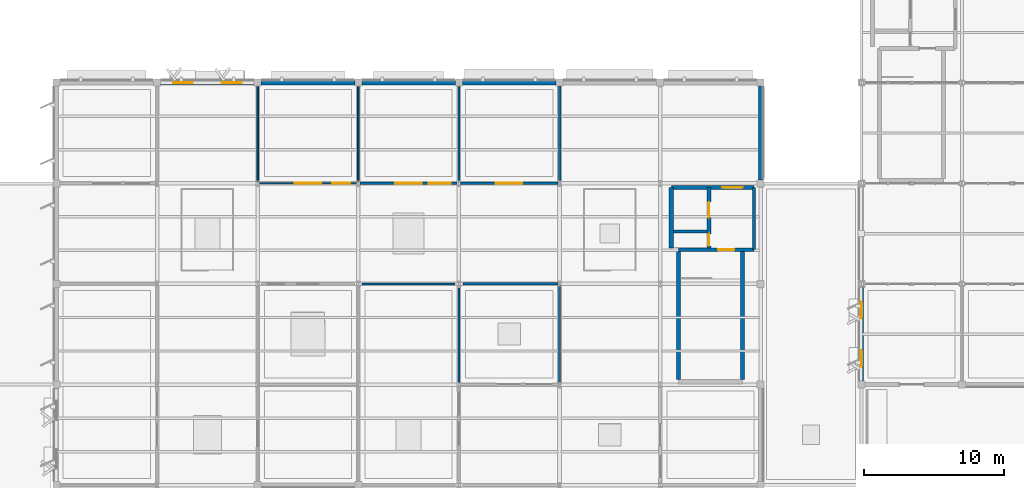
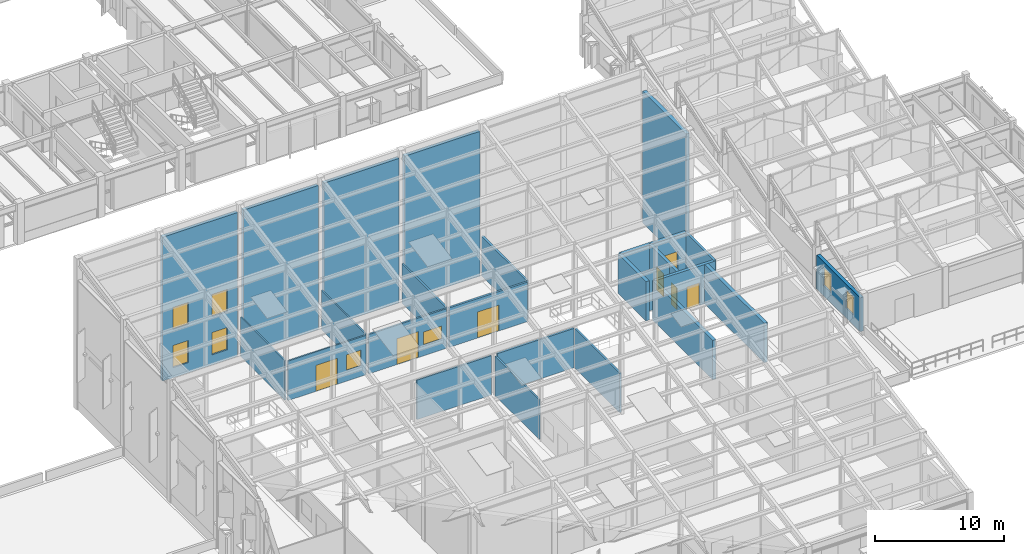
# One storey, part 35 of 82: 25 walls, 8 windows, 7 doors, 15 openings.
"""IFC4 building model written with IfcOpenShell, lengths in metres."""

from ifc_helpers import new_model, si_unit, direction, frame, frame_2d, origin, place, context, subcontext, project, spatial, rectangle, extrude, material, layer, layer_set, type_object, element, fill, save


model = new_model("IFC4")

# Units and contexts
model_context = context("Model", 3, precision=1e-05, world=origin(), true_north=direction((0.0, 1.0)))
body_context = subcontext(model_context, "Body", "Model", "MODEL_VIEW")
ifc_project = project(units=[si_unit("LENGTHUNIT", "METRE"), si_unit("AREAUNIT", "SQUARE_METRE"), si_unit("VOLUMEUNIT", "CUBIC_METRE"), si_unit("PLANEANGLEUNIT", "RADIAN"), si_unit("MASSUNIT", "GRAM", prefix="KILO")], contexts=[model_context])

# Site, building, storey
site_placement = place(None, origin())
site = spatial("IfcSite", under=ifc_project, at=site_placement, CompositionType="ELEMENT")
building_placement = place(site_placement, origin())
building = spatial("IfcBuilding", under=site, at=building_placement, Name="Sillqori Civic Hall", CompositionType="ELEMENT")
storey_placement = place(building_placement, frame((0.0, 0.0, 14.10009765625)))
storey = spatial("IfcBuildingStorey", under=building, at=storey_placement, Name="L04", CompositionType="ELEMENT", Elevation=14.10009765625)

# Walls
ifc_material_1 = material(Name="Concrete C35/45 (H35)", Category="concrete")
ifc_layer_1 = layer(ifc_material_1, 0.219970703125)
ifc_layer_set_1 = layer_set([ifc_layer_1], Name="Concrete C35/45 (H35)")
wall_type_1 = type_object("IfcWallType", Name="CW-SHR-220", PredefinedType="SHEAR", material=ifc_layer_set_1)
wall_1_placement = place(storey_placement, frame((108.949951171875, 46.949951171875, 0.0), z_axis=(0.0, 0.0, 1.0), x_axis=(1.0, 0.0, 0.0)))
element("IfcWall", 1, at=wall_1_placement, inside=storey, type_object=wall_type_1, Name="L04 C3 Lift-riser divider wall", PredefinedType="SHEAR", context=body_context, shape_type="SweptSolid", body=[
    extrude(rectangle(XDim=2.400146484375, YDim=0.219970703125, at=frame_2d((1.2001953125, 0.0))), origin(), (0.0, 0.0, 1.0), 3.719970703125),
])
wall_2_placement = place(storey_placement, frame((114.719970703125, 50.10009765625, 0.0), z_axis=(0.0, 0.0, 1.0), x_axis=(0.0, -1.0, 0.0)))
element("IfcWall", 2, at=wall_2_placement, inside=storey, type_object=wall_type_1, Name="L04 C3 firefighting lobby enclosure wall", PredefinedType="SHEAR", context=body_context, shape_type="SweptSolid", body=[
    extrude(rectangle(XDim=4.4501953125, YDim=0.219970703125, at=frame_2d((2.22509765625, 0.0))), origin(), (0.0, 0.0, 1.0), 3.719970703125),
])

# Wall, opening, door
ifc_layer_2 = layer(ifc_material_1, 0.260009765625)
ifc_layer_set_2 = layer_set([ifc_layer_2], Name="Concrete C35/45 (H35)")
wall_type_2 = type_object("IfcWallType", Name="CW-SHR-260", PredefinedType="SHEAR", material=ifc_layer_set_2)
wall_3_placement = place(storey_placement, frame((109.31005859375, 45.64990234375, 0.0), z_axis=(0.0, 0.0, 1.0), x_axis=(1.0, 0.0, 0.0)))
wall_3 = element("IfcWall", 3, at=wall_3_placement, inside=storey, type_object=wall_type_2, Name="L04 C3 Stair-lobby fire wall", PredefinedType="SHEAR", context=body_context, shape_type="SweptSolid", body=[
    extrude(rectangle(XDim=5.409912109375, YDim=0.260009765625, at=frame_2d((2.705078125, 0.0))), origin(), (0.0, 0.0, 1.0), 3.719970703125),
])
opening_1_placement = place(wall_3_placement, frame((2.840087890625, 0.0, 0.0)))
opening_1 = element("IfcOpeningElement", 4, at=opening_1_placement, cuts=wall_3, Name="Opening FD-01", PredefinedType="OPENING", context=body_context, shape_type="SweptSolid", body=[
    extrude(rectangle(XDim=1.14990234375, YDim=2.14990234375, at=frame_2d((0.574951171875, 1.074951171875))), frame((0.0, 0.139892578125, 0.0), z_axis=(0.0, -1.0, 0.0), x_axis=(1.0, 0.0, 0.0)), (0.0, 0.0, 1.0), 0.280029296875),
])
ifc_material_2 = material(Name="Galvanized Steel Fire Door FD90S", Category="steel")
door_type_1 = type_object("IfcDoorType", Name="FDR-STR-115X215", OperationType="NOTDEFINED", PredefinedType="DOOR", material=ifc_material_2)
door_1_placement = place(opening_1_placement, origin())
door_1 = element("IfcDoor", 5, at=door_1_placement, inside=storey, type_object=door_type_1, Name="L04 stair ST-03 fire door", OperationType="SINGLE_SWING_RIGHT", OverallHeight=2.14990234375, OverallWidth=1.14990234375, PredefinedType="DOOR", context=body_context, shape_type="SweptSolid", body=[
    extrude(rectangle(XDim=1.14990234375, YDim=2.14990234375, at=frame_2d((0.574951171875, 1.074951171875))), frame((0.0, 0.02490234375, 0.0), z_axis=(0.0, -1.0, 0.0), x_axis=(1.0, 0.0, 0.0)), (0.0, 0.0, 1.0), 0.050048828125),
])
fill(opening_1, door_1)

# Wall, openings, doors
wall_4_placement = place(storey_placement, frame((111.5, 50.10009765625, 0.0), z_axis=(0.0, 0.0, 1.0), x_axis=(0.0, -1.0, 0.0)))
wall_4 = element("IfcWall", 6, at=wall_4_placement, inside=storey, type_object=wall_type_2, Name="L04 C3 Lift landing & riser front wall", PredefinedType="SHEAR", context=body_context, shape_type="SweptSolid", body=[
    extrude(rectangle(XDim=4.320068359375, YDim=0.260009765625, at=frame_2d((2.16015625, 0.0))), origin(), (0.0, 0.0, 1.0), 3.719970703125),
])
opening_2_placement = place(wall_4_placement, frame((1.050048828125, 0.0, 0.0)))
opening_2 = element("IfcOpeningElement", 7, at=opening_2_placement, cuts=wall_4, Name="Opening LD-01", PredefinedType="OPENING", context=body_context, shape_type="SweptSolid", body=[
    extrude(rectangle(XDim=1.10009765625, YDim=2.14990234375, at=frame_2d((0.550048828125, 1.074951171875))), frame((0.0, 0.139892578125, 0.0), z_axis=(0.0, -1.0, 0.0), x_axis=(1.0, 0.0, 0.0)), (0.0, 0.0, 1.0), 0.280029296875),
])
opening_3_placement = place(wall_4_placement, frame((3.324951171875, 0.0, 0.0)))
opening_3 = element("IfcOpeningElement", 8, at=opening_3_placement, cuts=wall_4, Name="Opening FD-05", PredefinedType="OPENING", context=body_context, shape_type="SweptSolid", body=[
    extrude(rectangle(XDim=0.85009765625, YDim=2.050048828125, at=frame_2d((0.425048828125, 1.02490234375))), frame((0.0, 0.139892578125, 0.0), z_axis=(0.0, -1.0, 0.0), x_axis=(1.0, 0.0, 0.0)), (0.0, 0.0, 1.0), 0.280029296875),
])
ifc_material_3 = material(Name="Steel Riser Access Fire Door", Category="steel")
door_type_2 = type_object("IfcDoorType", Name="FDR-RSR-085X205", OperationType="NOTDEFINED", PredefinedType="DOOR", material=ifc_material_3)
door_2_placement = place(opening_3_placement, origin())
door_2 = element("IfcDoor", 9, at=door_2_placement, inside=storey, type_object=door_type_2, Name="L04 MEP riser C3 fire access door", OperationType="SINGLE_SWING_LEFT", OverallHeight=2.050048828125, OverallWidth=0.85009765625, PredefinedType="DOOR", context=body_context, shape_type="SweptSolid", body=[
    extrude(rectangle(XDim=0.85009765625, YDim=2.050048828125, at=frame_2d((0.425048828125, 1.02490234375))), frame((0.0, 0.02490234375, 0.0), z_axis=(0.0, -1.0, 0.0), x_axis=(1.0, 0.0, 0.0)), (0.0, 0.0, 1.0), 0.050048828125),
])
fill(opening_3, door_2)
ifc_material_4 = material(Name="Stainless Steel Lift Landing Door", Category="steel")
door_type_3 = type_object("IfcDoorType", Name="LDR-PASS-110X215", OperationType="NOTDEFINED", PredefinedType="DOOR", material=ifc_material_4)
door_3_placement = place(opening_2_placement, origin())
door_3 = element("IfcDoor", 10, at=door_3_placement, inside=storey, type_object=door_type_3, Name="L04 lift LF-05 sliding landing door", OperationType="DOUBLE_DOOR_SLIDING", OverallHeight=2.14990234375, OverallWidth=1.10009765625, PredefinedType="DOOR", context=body_context, shape_type="SweptSolid", body=[
    extrude(rectangle(XDim=1.10009765625, YDim=2.14990234375, at=frame_2d((0.550048828125, 1.074951171875))), frame((0.0, 0.02490234375, 0.0), z_axis=(0.0, -1.0, 0.0), x_axis=(1.0, 0.0, 0.0)), (0.0, 0.0, 1.0), 0.050048828125),
])
fill(opening_2, door_3)

# Walls
ifc_layer_3 = layer(ifc_material_1, 0.300048828125)
ifc_layer_set_3 = layer_set([ifc_layer_3], Name="Concrete C35/45 (H35)")
wall_type_3 = type_object("IfcWallType", Name="CW-SHR-300", PredefinedType="SHEAR", material=ifc_layer_set_3)
for number, where, z_axis, x_axis, name in (
    (11, (109.31005859375, 36.35009765625, 0.0), (0.0, 0.0, 1.0), (0.0, 1.0, 0.0), "L04 C3 Stair west shear wall"),
    (12, (113.889892578125, 36.35009765625, 0.0), (0.0, 0.0, 1.0), (0.0, 1.0, 0.0), "L04 C3 Stair east shear wall"),
):
    element("IfcWall", number, at=place(storey_placement, frame(where, z_axis=z_axis, x_axis=x_axis)), inside=storey, type_object=wall_type_3, Name=name, PredefinedType="SHEAR", context=body_context, shape_type="SweptSolid", body=[
        extrude(rectangle(XDim=9.2998046875, YDim=0.300048828125, at=frame_2d((4.64990234375, 0.0))), origin(), (0.0, 0.0, 1.0), 3.719970703125),
    ])
wall_5_placement = place(storey_placement, frame((108.800048828125, 45.780029296875, 0.0), z_axis=(0.0, 0.0, 1.0), x_axis=(0.0, 1.0, 0.0)))
element("IfcWall", 13, at=wall_5_placement, inside=storey, type_object=wall_type_3, Name="L04 C3 Lift shaft west shear wall", PredefinedType="SHEAR", context=body_context, shape_type="SweptSolid", body=[
    extrude(rectangle(XDim=4.320068359375, YDim=0.300048828125, at=frame_2d((2.16015625, 0.0))), origin(), (0.0, 0.0, 1.0), 3.719970703125),
])

# Wall, opening, door
wall_6_placement = place(storey_placement, frame((108.800048828125, 50.10009765625, 0.0), z_axis=(0.0, 0.0, 1.0), x_axis=(1.0, 0.0, 0.0)))
wall_6 = element("IfcWall", 14, at=wall_6_placement, inside=storey, type_object=wall_type_3, Name="L04 C3 Core north shear wall", PredefinedType="SHEAR", context=body_context, shape_type="SweptSolid", body=[
    extrude(rectangle(XDim=5.919921875, YDim=0.300048828125, at=frame_2d((2.9599609375, 0.0))), origin(), (0.0, 0.0, 1.0), 3.719970703125),
])
opening_4_placement = place(wall_6_placement, frame((3.64990234375, 0.0, 0.0)))
opening_4 = element("IfcOpeningElement", 15, at=opening_4_placement, cuts=wall_6, Name="Opening FD-03", PredefinedType="OPENING", context=body_context, shape_type="SweptSolid", body=[
    extrude(rectangle(XDim=1.449951171875, YDim=2.199951171875, at=frame_2d((0.72509765625, 1.10009765625))), frame((0.0, 0.159912109375, 0.0), z_axis=(0.0, -1.0, 0.0), x_axis=(1.0, 0.0, 0.0)), (0.0, 0.0, 1.0), 0.320068359375),
])
ifc_material_5 = material(Name="Double-Leaf Smoke-Seal Lobby Door", Category="steel")
door_type_4 = type_object("IfcDoorType", Name="FDR-LOB-145X220", OperationType="NOTDEFINED", PredefinedType="DOOR", material=ifc_material_5)
door_4_placement = place(opening_4_placement, origin())
door_4 = element("IfcDoor", 16, at=door_4_placement, inside=storey, type_object=door_type_4, Name="L04 C3 firefighting lobby north exit door", OperationType="DOUBLE_DOOR_SINGLE_SWING", OverallHeight=2.199951171875, OverallWidth=1.449951171875, PredefinedType="DOOR", context=body_context, shape_type="SweptSolid", body=[
    extrude(rectangle(XDim=1.449951171875, YDim=2.199951171875, at=frame_2d((0.72509765625, 1.10009765625))), frame((0.0, 0.02490234375, 0.0), z_axis=(0.0, -1.0, 0.0), x_axis=(1.0, 0.0, 0.0)), (0.0, 0.0, 1.0), 0.050048828125),
])
fill(opening_4, door_4)

# Wall, openings, windows
ifc_material_6 = material(Name="Precast concrete C40/50 (H40)", Category="concrete")
ifc_layer_4 = layer(ifc_material_6, 0.300048828125)
ifc_layer_set_4 = layer_set([ifc_layer_4], Name="Precast concrete C40/50 (H40)")
wall_type_4 = type_object("IfcWallType", Name="EW-LIME-300", PredefinedType="SOLIDWALL", material=ifc_layer_set_4)
wall_7_placement = place(storey_placement, frame((122.39990234375, 36.25, 0.0), z_axis=(0.0, 0.0, 1.0), x_axis=(0.0, 1.0, 0.0)))
wall_7 = element("IfcWall", 17, at=wall_7_placement, inside=storey, type_object=wall_type_4, Name="L04 V3 exterior wall L04-17-05-W", PredefinedType="SOLIDWALL", context=body_context, shape_type="SweptSolid", body=[
    extrude(rectangle(XDim=6.699951171875, YDim=0.300048828125, at=frame_2d((3.35009765625, 0.0))), origin(), (0.0, 0.0, 1.0), 3.199951171875),
])
opening_5_placement = place(wall_7_placement, frame((1.008056640625, 0.0, 0.949951171875)))
opening_5 = element("IfcOpeningElement", 18, at=opening_5_placement, cuts=wall_7, Name="Opening W-22", PredefinedType="OPENING", context=body_context, shape_type="SweptSolid", body=[
    extrude(rectangle(XDim=1.199951171875, YDim=1.699951171875, at=frame_2d((0.60009765625, 0.85009765625))), frame((0.0, 0.159912109375, 0.0), z_axis=(0.0, -1.0, 0.0), x_axis=(1.0, 0.0, 0.0)), (0.0, 0.0, 1.0), 0.320068359375),
])
opening_6_placement = place(wall_7_placement, frame((4.491943359375, 0.0, 0.949951171875)))
opening_6 = element("IfcOpeningElement", 19, at=opening_6_placement, cuts=wall_7, Name="Opening W-22", PredefinedType="OPENING", context=body_context, shape_type="SweptSolid", body=[
    extrude(rectangle(XDim=1.199951171875, YDim=1.699951171875, at=frame_2d((0.60009765625, 0.85009765625))), frame((0.0, 0.159912109375, 0.0), z_axis=(0.0, -1.0, 0.0), x_axis=(1.0, 0.0, 0.0)), (0.0, 0.0, 1.0), 0.320068359375),
])
ifc_material_7 = material(Name="Thermally Broken Aluminium Low-E Window", Category="aluminium")
window_type_1 = type_object("IfcWindowType", Name="WIN-V5-120X170", PartitioningType="SINGLE_PANEL", PredefinedType="WINDOW", material=ifc_material_7)
window_1_placement = place(opening_5_placement, origin())
window_1 = element("IfcWindow", 20, at=window_1_placement, inside=storey, type_object=window_type_1, Name="L04 V3 window L04-17-05-W.1", OverallHeight=1.699951171875, OverallWidth=1.199951171875, PartitioningType="SINGLE_PANEL", PredefinedType="WINDOW", context=body_context, shape_type="SweptSolid", body=[
    extrude(rectangle(XDim=1.199951171875, YDim=1.699951171875, at=frame_2d((0.60009765625, 0.85009765625))), frame((0.0, 0.030029296875, 0.0), z_axis=(0.0, -1.0, 0.0), x_axis=(1.0, 0.0, 0.0)), (0.0, 0.0, 1.0), 0.06005859375),
])
fill(opening_5, window_1)
window_2_placement = place(opening_6_placement, origin())
window_2 = element("IfcWindow", 21, at=window_2_placement, inside=storey, type_object=window_type_1, Name="L04 V3 window L04-17-05-W.2", OverallHeight=1.699951171875, OverallWidth=1.199951171875, PartitioningType="SINGLE_PANEL", PredefinedType="WINDOW", context=body_context, shape_type="SweptSolid", body=[
    extrude(rectangle(XDim=1.199951171875, YDim=1.699951171875, at=frame_2d((0.60009765625, 0.85009765625))), frame((0.0, 0.030029296875, 0.0), z_axis=(0.0, -1.0, 0.0), x_axis=(1.0, 0.0, 0.0)), (0.0, 0.0, 1.0), 0.06005859375),
])
fill(opening_6, window_2)

ifc_layer_5 = layer(ifc_material_6, 0.320068359375)
ifc_layer_set_5 = layer_set([ifc_layer_5], Name="Precast concrete C40/50 (H40)")
wall_type_5 = type_object("IfcWallType", Name="EW-LIME-320", PredefinedType="SOLIDWALL", material=ifc_layer_set_5)
wall_8_placement = place(storey_placement, frame((72.25, 57.60009765625, 0.0), z_axis=(0.0, 0.0, 1.0), x_axis=(1.0, 0.0, 0.0)))
wall_8 = element("IfcWall", 22, at=wall_8_placement, inside=storey, type_object=wall_type_5, Name="L04 V2 exterior wall L04-10-07-N", PredefinedType="SOLIDWALL", context=body_context, shape_type="SweptSolid", body=[
    extrude(rectangle(XDim=6.699951171875, YDim=0.320068359375, at=frame_2d((3.35009765625, 0.0))), origin(), (0.0, 0.0, 1.0), 13.57763671875),
])
opening_7_placement = place(wall_8_placement, frame((0.907958984375, 0.0, 0.949951171875)))
opening_7 = element("IfcOpeningElement", 23, at=opening_7_placement, cuts=wall_8, Name="Opening W-03", PredefinedType="OPENING", context=body_context, shape_type="SweptSolid", body=[
    extrude(rectangle(XDim=1.39990234375, YDim=2.10009765625, at=frame_2d((0.699951171875, 1.050048828125))), frame((0.0, 0.169921875, 0.0), z_axis=(0.0, -1.0, 0.0), x_axis=(1.0, 0.0, 0.0)), (0.0, 0.0, 1.0), 0.340087890625),
])
opening_8_placement = place(wall_8_placement, frame((0.907958984375, 0.0, 4.550048828125)))
opening_8 = element("IfcOpeningElement", 24, at=opening_8_placement, cuts=wall_8, Name="Opening W-03", PredefinedType="OPENING", context=body_context, shape_type="SweptSolid", body=[
    extrude(rectangle(XDim=1.39990234375, YDim=2.10009765625, at=frame_2d((0.699951171875, 1.050048828125))), frame((0.0, 0.169921875, 0.0), z_axis=(0.0, -1.0, 0.0), x_axis=(1.0, 0.0, 0.0)), (0.0, 0.0, 1.0), 0.340087890625),
])
opening_9_placement = place(wall_8_placement, frame((4.39208984375, 0.0, 0.949951171875)))
opening_9 = element("IfcOpeningElement", 25, at=opening_9_placement, cuts=wall_8, Name="Opening W-03", PredefinedType="OPENING", context=body_context, shape_type="SweptSolid", body=[
    extrude(rectangle(XDim=1.39990234375, YDim=2.10009765625, at=frame_2d((0.699951171875, 1.050048828125))), frame((0.0, 0.169921875, 0.0), z_axis=(0.0, -1.0, 0.0), x_axis=(1.0, 0.0, 0.0)), (0.0, 0.0, 1.0), 0.340087890625),
])
opening_10_placement = place(wall_8_placement, frame((4.39208984375, 0.0, 4.550048828125)))
opening_10 = element("IfcOpeningElement", 26, at=opening_10_placement, cuts=wall_8, Name="Opening W-03", PredefinedType="OPENING", context=body_context, shape_type="SweptSolid", body=[
    extrude(rectangle(XDim=1.39990234375, YDim=2.10009765625, at=frame_2d((0.699951171875, 1.050048828125))), frame((0.0, 0.169921875, 0.0), z_axis=(0.0, -1.0, 0.0), x_axis=(1.0, 0.0, 0.0)), (0.0, 0.0, 1.0), 0.340087890625),
])
window_type_2 = type_object("IfcWindowType", Name="WIN-V2-140X210", PartitioningType="SINGLE_PANEL", PredefinedType="WINDOW", material=ifc_material_7)
window_3_placement = place(opening_7_placement, origin())
window_3 = element("IfcWindow", 27, at=window_3_placement, inside=storey, type_object=window_type_2, Name="L04 V2 window L04-10-07-N.1", OverallHeight=2.10009765625, OverallWidth=1.39990234375, PartitioningType="SINGLE_PANEL", PredefinedType="WINDOW", context=body_context, shape_type="SweptSolid", body=[
    extrude(rectangle(XDim=1.39990234375, YDim=2.10009765625, at=frame_2d((0.699951171875, 1.050048828125))), frame((0.0, 0.030029296875, 0.0), z_axis=(0.0, -1.0, 0.0), x_axis=(1.0, 0.0, 0.0)), (0.0, 0.0, 1.0), 0.06005859375),
])
fill(opening_7, window_3)
window_4_placement = place(opening_8_placement, origin())
window_4 = element("IfcWindow", 28, at=window_4_placement, inside=storey, type_object=window_type_2, Name="L04 V2 upper clerestory window L04-10-07-N.1", OverallHeight=2.10009765625, OverallWidth=1.39990234375, PartitioningType="SINGLE_PANEL", PredefinedType="WINDOW", context=body_context, shape_type="SweptSolid", body=[
    extrude(rectangle(XDim=1.39990234375, YDim=2.10009765625, at=frame_2d((0.699951171875, 1.050048828125))), frame((0.0, 0.030029296875, 0.0), z_axis=(0.0, -1.0, 0.0), x_axis=(1.0, 0.0, 0.0)), (0.0, 0.0, 1.0), 0.06005859375),
])
fill(opening_8, window_4)
window_5_placement = place(opening_9_placement, origin())
window_5 = element("IfcWindow", 29, at=window_5_placement, inside=storey, type_object=window_type_2, Name="L04 V2 window L04-10-07-N.2", OverallHeight=2.10009765625, OverallWidth=1.39990234375, PartitioningType="SINGLE_PANEL", PredefinedType="WINDOW", context=body_context, shape_type="SweptSolid", body=[
    extrude(rectangle(XDim=1.39990234375, YDim=2.10009765625, at=frame_2d((0.699951171875, 1.050048828125))), frame((0.0, 0.030029296875, 0.0), z_axis=(0.0, -1.0, 0.0), x_axis=(1.0, 0.0, 0.0)), (0.0, 0.0, 1.0), 0.06005859375),
])
fill(opening_9, window_5)
window_6_placement = place(opening_10_placement, origin())
window_6 = element("IfcWindow", 30, at=window_6_placement, inside=storey, type_object=window_type_2, Name="L04 V2 upper clerestory window L04-10-07-N.2", OverallHeight=2.10009765625, OverallWidth=1.39990234375, PartitioningType="SINGLE_PANEL", PredefinedType="WINDOW", context=body_context, shape_type="SweptSolid", body=[
    extrude(rectangle(XDim=1.39990234375, YDim=2.10009765625, at=frame_2d((0.699951171875, 1.050048828125))), frame((0.0, 0.030029296875, 0.0), z_axis=(0.0, -1.0, 0.0), x_axis=(1.0, 0.0, 0.0)), (0.0, 0.0, 1.0), 0.06005859375),
])
fill(opening_10, window_6)

# Walls
wall_9_placement = place(storey_placement, frame((79.449951171875, 57.60009765625, 0.0), z_axis=(0.0, 0.0, 1.0), x_axis=(1.0, 0.0, 0.0)))
element("IfcWall", 31, at=wall_9_placement, inside=storey, type_object=wall_type_5, Name="L04 V2 exterior wall L04-11-07-N", PredefinedType="SOLIDWALL", context=body_context, shape_type="SweptSolid", body=[
    extrude(rectangle(XDim=6.699951171875, YDim=0.320068359375, at=frame_2d((3.35009765625, 0.0))), origin(), (0.0, 0.0, 1.0), 13.606201171875),
])
wall_10_placement = place(storey_placement, frame((86.64990234375, 57.60009765625, 0.0), z_axis=(0.0, 0.0, 1.0), x_axis=(1.0, 0.0, 0.0)))
element("IfcWall", 32, at=wall_10_placement, inside=storey, type_object=wall_type_5, Name="L04 V2 exterior wall L04-12-07-N", PredefinedType="SOLIDWALL", context=body_context, shape_type="SweptSolid", body=[
    extrude(rectangle(XDim=6.7001953125, YDim=0.320068359375, at=frame_2d((3.35009765625, 0.0))), origin(), (0.0, 0.0, 1.0), 13.634765625),
])
wall_11_placement = place(storey_placement, frame((93.85009765625, 57.60009765625, 0.0), z_axis=(0.0, 0.0, 1.0), x_axis=(1.0, 0.0, 0.0)))
element("IfcWall", 33, at=wall_11_placement, inside=storey, type_object=wall_type_5, Name="L04 V2 exterior wall L04-13-07-N", PredefinedType="SOLIDWALL", context=body_context, shape_type="SweptSolid", body=[
    extrude(rectangle(XDim=6.699951171875, YDim=0.320068359375, at=frame_2d((3.35009765625, 0.0))), origin(), (0.0, 0.0, 1.0), 13.663330078125),
])
wall_12_placement = place(storey_placement, frame((115.199951171875, 57.35009765625, 0.0), z_axis=(0.0, 0.0, 1.0), x_axis=(0.0, -1.0, 0.0)))
element("IfcWall", 34, at=wall_12_placement, inside=storey, type_object=wall_type_5, Name="L04 V2 exterior wall L04-15-07-E", PredefinedType="SOLIDWALL", context=body_context, shape_type="SweptSolid", body=[
    extrude(rectangle(XDim=6.7001953125, YDim=0.320068359375, at=frame_2d((3.35009765625, 0.0))), origin(), (0.0, 0.0, 1.0), 12.450439453125),
])

# Wall, openings, door, window
ifc_material_8 = material(Name="Double-Board Acoustic Partition 128", Category="gypsum")
ifc_layer_6 = layer(ifc_material_8, 0.1279296875)
ifc_layer_set_6 = layer_set([ifc_layer_6], Name="Double-Board Acoustic Partition 128")
wall_type_6 = type_object("IfcWallType", Name="PT-GYP-128", PredefinedType="PARTITIONING", material=ifc_layer_set_6)
wall_13_placement = place(storey_placement, frame((86.280029296875, 50.39990234375, 0.0), z_axis=(0.0, 0.0, 1.0), x_axis=(-1.0, 0.0, 0.0)))
wall_13 = element("IfcWall", 35, at=wall_13_placement, inside=storey, type_object=wall_type_6, Name="Civic Architecture Model Gallery L04-08 partition S1", PredefinedType="PARTITIONING", context=body_context, shape_type="SweptSolid", body=[
    extrude(rectangle(XDim=6.9599609375, YDim=0.1279296875, at=frame_2d((3.47998046875, 0.0))), origin(), (0.0, 0.0, 1.0), 3.719970703125),
])
opening_11_placement = place(wall_13_placement, frame((2.530029296875, 0.0, 0.0)))
opening_11 = element("IfcOpeningElement", 36, at=opening_11_placement, cuts=wall_13, Name="Opening ID-11", PredefinedType="OPENING", context=body_context, shape_type="SweptSolid", body=[
    extrude(rectangle(XDim=1.89990234375, YDim=2.449951171875, at=frame_2d((0.949951171875, 1.22509765625))), frame((0.0, 0.073974609375, 0.0), z_axis=(0.0, -1.0, 0.0), x_axis=(1.0, 0.0, 0.0)), (0.0, 0.0, 1.0), 0.14794921875),
])
opening_12_placement = place(wall_13_placement, frame((0.449951171875, 0.0, 1.050048828125)))
opening_12 = element("IfcOpeningElement", 37, at=opening_12_placement, cuts=wall_13, Name="Opening IW-47", PredefinedType="OPENING", context=body_context, shape_type="SweptSolid", body=[
    extrude(rectangle(XDim=1.280029296875, YDim=1.43994140625, at=frame_2d((0.64013671875, 0.719970703125))), frame((0.0, 0.073974609375, 0.0), z_axis=(0.0, -1.0, 0.0), x_axis=(1.0, 0.0, 0.0)), (0.0, 0.0, 1.0), 0.14794921875),
])
ifc_material_9 = material(Name="Exhibition Gallery Portal Door", Category="aluminium")
door_type_5 = type_object("IfcDoorType", Name="IDR-EXH-190X245", OperationType="NOTDEFINED", PredefinedType="DOOR", material=ifc_material_9)
door_5_placement = place(opening_11_placement, origin())
door_5 = element("IfcDoor", 38, at=door_5_placement, inside=storey, type_object=door_type_5, Name="Civic Architecture Model Gallery L04-08 entrance door", OperationType="DOUBLE_DOOR_SINGLE_SWING", OverallHeight=2.449951171875, OverallWidth=1.89990234375, PredefinedType="DOOR", context=body_context, shape_type="SweptSolid", body=[
    extrude(rectangle(XDim=1.89990234375, YDim=2.449951171875, at=frame_2d((0.949951171875, 1.22509765625))), frame((0.0, 0.02490234375, 0.0), z_axis=(0.0, -1.0, 0.0), x_axis=(1.0, 0.0, 0.0)), (0.0, 0.0, 1.0), 0.050048828125),
])
fill(opening_11, door_5)
ifc_material_10 = material(Name="Acoustic Laminated Interior Clerestory Glazing", Category="glass")
window_type_3 = type_object("IfcWindowType", Name="IWN-GAL-128X144", PartitioningType="SINGLE_PANEL", PredefinedType="WINDOW", material=ifc_material_10)
window_7_placement = place(opening_12_placement, origin())
window_7 = element("IfcWindow", 39, at=window_7_placement, inside=storey, type_object=window_type_3, Name="Civic Architecture Model Gallery L04-08 borrowed-light screen", OverallHeight=1.43994140625, OverallWidth=1.280029296875, PartitioningType="SINGLE_PANEL", PredefinedType="WINDOW", context=body_context, shape_type="SweptSolid", body=[
    extrude(rectangle(XDim=1.280029296875, YDim=1.43994140625, at=frame_2d((0.64013671875, 0.719970703125))), frame((0.0, 0.030029296875, 0.0), z_axis=(0.0, -1.0, 0.0), x_axis=(1.0, 0.0, 0.0)), (0.0, 0.0, 1.0), 0.06005859375),
])
fill(opening_12, window_7)

# Walls
for number, where, z_axis, x_axis, name in (
    (40, (79.199951171875, 50.52001953125, 0.0), (0.0, 0.0, 1.0), (0.0, 1.0, 0.0), "Civic Architecture Model Gallery L04-08 partition W2"),
    (41, (86.39990234375, 57.320068359375, 0.0), (0.0, 0.0, 1.0), (0.0, -1.0, 0.0), "Civic Architecture Model Gallery L04-08 partition E3"),
):
    element("IfcWall", number, at=place(storey_placement, frame(where, z_axis=z_axis, x_axis=x_axis)), inside=storey, type_object=wall_type_6, Name=name, PredefinedType="PARTITIONING", context=body_context, shape_type="SweptSolid", body=[
        extrude(rectangle(XDim=6.800048828125, YDim=0.1279296875, at=frame_2d((3.39990234375, 0.0))), origin(), (0.0, 0.0, 1.0), 3.719970703125),
    ])
ifc_material_11 = material(Name="Corridor Rated Partition 146", Category="gypsum")
ifc_layer_7 = layer(ifc_material_11, 0.14599609375)
ifc_layer_set_7 = layer_set([ifc_layer_7], Name="Corridor Rated Partition 146")
wall_type_7 = type_object("IfcWallType", Name="PT-GYP-146", PredefinedType="PARTITIONING", material=ifc_layer_set_7)
wall_14_placement = place(storey_placement, frame((93.60009765625, 42.919921875, 0.0), z_axis=(0.0, 0.0, 1.0), x_axis=(0.0, -1.0, 0.0)))
element("IfcWall", 42, at=wall_14_placement, inside=storey, type_object=wall_type_7, Name="Citizen Innovation and Open-Data Studio L04-11 partition E2", PredefinedType="PARTITIONING", context=body_context, shape_type="SweptSolid", body=[
    extrude(rectangle(XDim=6.7998046875, YDim=0.14599609375, at=frame_2d((3.39990234375, 0.0))), origin(), (0.0, 0.0, 1.0), 3.719970703125),
])
wall_15_placement = place(storey_placement, frame((86.679931640625, 43.199951171875, 0.0), z_axis=(0.0, 0.0, 1.0), x_axis=(1.0, 0.0, 0.0)))
element("IfcWall", 43, at=wall_15_placement, inside=storey, type_object=wall_type_7, Name="Citizen Innovation and Open-Data Studio L04-11 partition N4", PredefinedType="PARTITIONING", context=body_context, shape_type="SweptSolid", body=[
    extrude(rectangle(XDim=6.64013671875, YDim=0.14599609375, at=frame_2d((3.320068359375, 0.0))), origin(), (0.0, 0.0, 1.0), 3.719970703125),
])

# Wall, openings, door, window
ifc_material_12 = material(Name="Hearing Acoustic Partition 154", Category="gypsum")
ifc_layer_8 = layer(ifc_material_12, 0.154052734375)
ifc_layer_set_8 = layer_set([ifc_layer_8], Name="Hearing Acoustic Partition 154")
wall_type_8 = type_object("IfcWallType", Name="PT-GYP-154", PredefinedType="PARTITIONING", material=ifc_layer_set_8)
wall_16_placement = place(storey_placement, frame((93.47998046875, 50.39990234375, 0.0), z_axis=(0.0, 0.0, 1.0), x_axis=(-1.0, 0.0, 0.0)))
wall_16 = element("IfcWall", 44, at=wall_16_placement, inside=storey, type_object=wall_type_8, Name="Civic Architecture Model Gallery L04-12 partition S1", PredefinedType="PARTITIONING", context=body_context, shape_type="SweptSolid", body=[
    extrude(rectangle(XDim=6.9599609375, YDim=0.154052734375, at=frame_2d((3.47998046875, 0.0))), origin(), (0.0, 0.0, 1.0), 3.719970703125),
])
opening_13_placement = place(wall_16_placement, frame((2.530029296875, 0.0, 0.0)))
opening_13 = element("IfcOpeningElement", 45, at=opening_13_placement, cuts=wall_16, Name="Opening ID-11", PredefinedType="OPENING", context=body_context, shape_type="SweptSolid", body=[
    extrude(rectangle(XDim=1.89990234375, YDim=2.449951171875, at=frame_2d((0.949951171875, 1.22509765625))), frame((0.0, 0.0869140625, 0.0), z_axis=(0.0, -1.0, 0.0), x_axis=(1.0, 0.0, 0.0)), (0.0, 0.0, 1.0), 0.174072265625),
])
opening_14_placement = place(wall_16_placement, frame((0.449951171875, 0.0, 1.050048828125)))
opening_14 = element("IfcOpeningElement", 46, at=opening_14_placement, cuts=wall_16, Name="Opening IW-01", PredefinedType="OPENING", context=body_context, shape_type="SweptSolid", body=[
    extrude(rectangle(XDim=1.60009765625, YDim=1.199951171875, at=frame_2d((0.800048828125, 0.60009765625))), frame((0.0, 0.0869140625, 0.0), z_axis=(0.0, -1.0, 0.0), x_axis=(1.0, 0.0, 0.0)), (0.0, 0.0, 1.0), 0.174072265625),
])
door_6_placement = place(opening_13_placement, origin())
door_6 = element("IfcDoor", 47, at=door_6_placement, inside=storey, type_object=door_type_5, Name="Civic Architecture Model Gallery L04-12 entrance door", OperationType="DOUBLE_DOOR_SINGLE_SWING", OverallHeight=2.449951171875, OverallWidth=1.89990234375, PredefinedType="DOOR", context=body_context, shape_type="SweptSolid", body=[
    extrude(rectangle(XDim=1.89990234375, YDim=2.449951171875, at=frame_2d((0.949951171875, 1.22509765625))), frame((0.0, 0.02490234375, 0.0), z_axis=(0.0, -1.0, 0.0), x_axis=(1.0, 0.0, 0.0)), (0.0, 0.0, 1.0), 0.050048828125),
])
fill(opening_13, door_6)
window_type_4 = type_object("IfcWindowType", Name="IWN-OFF-160X120", PartitioningType="SINGLE_PANEL", PredefinedType="WINDOW", material=ifc_material_10)
window_8_placement = place(opening_14_placement, origin())
window_8 = element("IfcWindow", 48, at=window_8_placement, inside=storey, type_object=window_type_4, Name="Civic Architecture Model Gallery L04-12 borrowed-light screen", OverallHeight=1.199951171875, OverallWidth=1.60009765625, PartitioningType="SINGLE_PANEL", PredefinedType="WINDOW", context=body_context, shape_type="SweptSolid", body=[
    extrude(rectangle(XDim=1.60009765625, YDim=1.199951171875, at=frame_2d((0.800048828125, 0.60009765625))), frame((0.0, 0.030029296875, 0.0), z_axis=(0.0, -1.0, 0.0), x_axis=(1.0, 0.0, 0.0)), (0.0, 0.0, 1.0), 0.06005859375),
])
fill(opening_14, window_8)

# Walls
wall_17_placement = place(storey_placement, frame((93.60009765625, 57.320068359375, 0.0), z_axis=(0.0, 0.0, 1.0), x_axis=(0.0, -1.0, 0.0)))
element("IfcWall", 49, at=wall_17_placement, inside=storey, type_object=wall_type_8, Name="Civic Architecture Model Gallery L04-12 partition E3", PredefinedType="PARTITIONING", context=body_context, shape_type="SweptSolid", body=[
    extrude(rectangle(XDim=6.800048828125, YDim=0.154052734375, at=frame_2d((3.39990234375, 0.0))), origin(), (0.0, 0.0, 1.0), 3.719970703125),
])
ifc_material_13 = material(Name="Concrete C25/30 (H25)", Category="concrete")
ifc_layer_9 = layer(ifc_material_13, 0.172119140625)
ifc_layer_set_9 = layer_set([ifc_layer_9], Name="Concrete C25/30 (H25)")
wall_type_9 = type_object("IfcWallType", Name="PT-MAS-172", PredefinedType="PARTITIONING", material=ifc_layer_set_9)
wall_18_placement = place(storey_placement, frame((93.8798828125, 43.199951171875, 0.0), z_axis=(0.0, 0.0, 1.0), x_axis=(1.0, 0.0, 0.0)))
element("IfcWall", 50, at=wall_18_placement, inside=storey, type_object=wall_type_9, Name="Citizen Innovation and Open-Data Studio L04-15 partition N2", PredefinedType="PARTITIONING", context=body_context, shape_type="SweptSolid", body=[
    extrude(rectangle(XDim=6.800048828125, YDim=0.172119140625, at=frame_2d((3.39990234375, 0.0))), origin(), (0.0, 0.0, 1.0), 3.719970703125),
])
wall_19_placement = place(storey_placement, frame((100.800048828125, 43.080078125, 0.0), z_axis=(0.0, 0.0, 1.0), x_axis=(0.0, -1.0, 0.0)))
element("IfcWall", 51, at=wall_19_placement, inside=storey, type_object=wall_type_9, Name="Citizen Innovation and Open-Data Studio L04-15 partition E4", PredefinedType="PARTITIONING", context=body_context, shape_type="SweptSolid", body=[
    extrude(rectangle(XDim=6.9599609375, YDim=0.172119140625, at=frame_2d((3.47998046875, 0.0))), origin(), (0.0, 0.0, 1.0), 3.719970703125),
])

# Wall, opening, door
ifc_layer_10 = layer(ifc_material_13, 0.179931640625)
ifc_layer_set_10 = layer_set([ifc_layer_10], Name="Concrete C25/30 (H25)")
wall_type_10 = type_object("IfcWallType", Name="PT-MAS-180", PredefinedType="PARTITIONING", material=ifc_layer_set_10)
wall_20_placement = place(storey_placement, frame((100.679931640625, 50.39990234375, 0.0), z_axis=(0.0, 0.0, 1.0), x_axis=(-1.0, 0.0, 0.0)))
wall_20 = element("IfcWall", 52, at=wall_20_placement, inside=storey, type_object=wall_type_10, Name="Civic Architecture Model Gallery L04-16 partition S1", PredefinedType="PARTITIONING", context=body_context, shape_type="SweptSolid", body=[
    extrude(rectangle(XDim=6.9599609375, YDim=0.179931640625, at=frame_2d((3.47998046875, 0.0))), origin(), (0.0, 0.0, 1.0), 3.719970703125),
])
opening_15_placement = place(wall_20_placement, frame((2.530029296875, 0.0, 0.0)))
opening_15 = element("IfcOpeningElement", 53, at=opening_15_placement, cuts=wall_20, Name="Opening ID-11", PredefinedType="OPENING", context=body_context, shape_type="SweptSolid", body=[
    extrude(rectangle(XDim=1.89990234375, YDim=2.449951171875, at=frame_2d((0.949951171875, 1.22509765625))), frame((0.0, 0.099853515625, 0.0), z_axis=(0.0, -1.0, 0.0), x_axis=(1.0, 0.0, 0.0)), (0.0, 0.0, 1.0), 0.199951171875),
])
door_7_placement = place(opening_15_placement, origin())
door_7 = element("IfcDoor", 54, at=door_7_placement, inside=storey, type_object=door_type_5, Name="Civic Architecture Model Gallery L04-16 entrance door", OperationType="DOUBLE_DOOR_SINGLE_SWING", OverallHeight=2.449951171875, OverallWidth=1.89990234375, PredefinedType="DOOR", context=body_context, shape_type="SweptSolid", body=[
    extrude(rectangle(XDim=1.89990234375, YDim=2.449951171875, at=frame_2d((0.949951171875, 1.22509765625))), frame((0.0, 0.02490234375, 0.0), z_axis=(0.0, -1.0, 0.0), x_axis=(1.0, 0.0, 0.0)), (0.0, 0.0, 1.0), 0.050048828125),
])
fill(opening_15, door_7)

# Wall
wall_21_placement = place(storey_placement, frame((100.800048828125, 57.47998046875, 0.0), z_axis=(0.0, 0.0, 1.0), x_axis=(0.0, -1.0, 0.0)))
element("IfcWall", 55, at=wall_21_placement, inside=storey, type_object=wall_type_10, Name="Civic Architecture Model Gallery L04-16 partition E3", PredefinedType="PARTITIONING", context=body_context, shape_type="SweptSolid", body=[
    extrude(rectangle(XDim=6.9599609375, YDim=0.179931640625, at=frame_2d((3.47998046875, 0.0))), origin(), (0.0, 0.0, 1.0), 3.719970703125),
])

save(model, "model.ifc")
